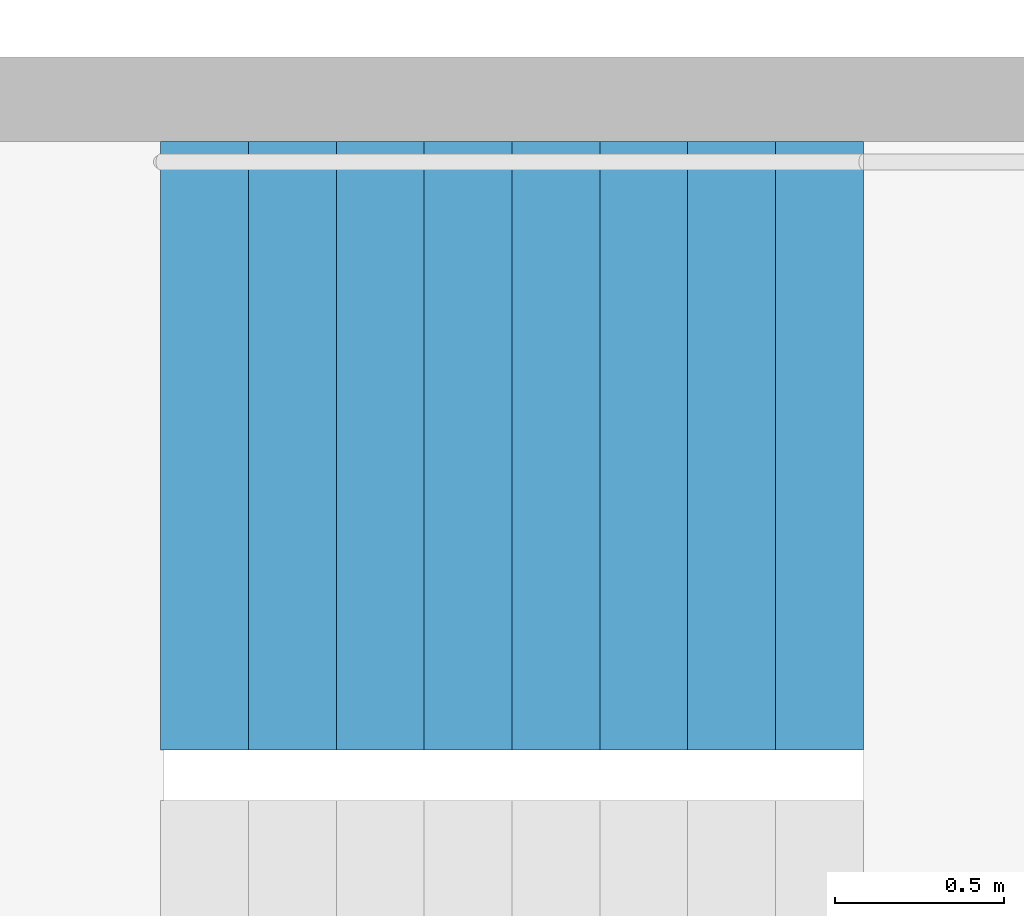
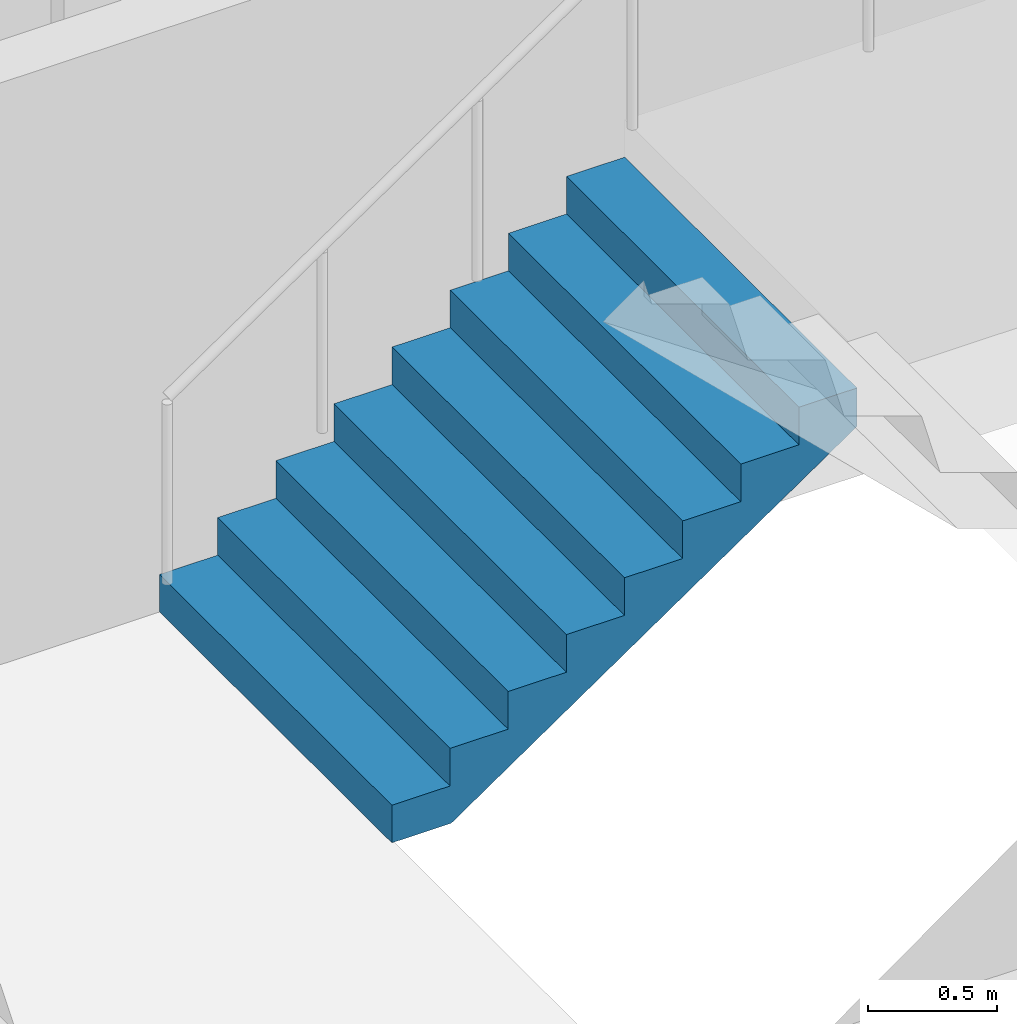
# One storey, part 23 of 26: 1 stair flight, 1 element without a shape of its own.
"""IFC4 building model written with IfcOpenShell, lengths in metres."""

from ifc_helpers import new_model, si_unit, direction, frame, origin, place, context, subcontext, project, spatial, triangles, material, type_object, element, aggregate, save


model = new_model("IFC4")

# Units and contexts
model_context = context("Model", 3, precision=1e-05, world=origin(), true_north=direction((0.0, 1.0)))
body_context = subcontext(model_context, "Body", "Model", "MODEL_VIEW")
ifc_project = project(units=[si_unit("LENGTHUNIT", "METRE"), si_unit("AREAUNIT", "SQUARE_METRE"), si_unit("VOLUMEUNIT", "CUBIC_METRE"), si_unit("PLANEANGLEUNIT", "RADIAN"), si_unit("MASSUNIT", "GRAM", prefix="KILO")], contexts=[model_context])

# Site, building, storey
site_placement = place(None, origin())
site = spatial("IfcSite", under=ifc_project, at=site_placement, CompositionType="ELEMENT")
building_placement = place(site_placement, origin())
building = spatial("IfcBuilding", under=site, at=building_placement, Name="Hakoniwa Tower and Hamabe Station Hall", CompositionType="ELEMENT")
storey_placement = place(building_placement, frame((0.0, 0.0, 159.800048828125)))
storey = spatial("IfcBuildingStorey", under=building, at=storey_placement, Name="L45", CompositionType="ELEMENT", Elevation=159.800048828125)

# Stair, stair flight
ifc_material_1 = material(Name="Concrete C40", Category="concrete")
stair_type = type_object("IfcStairType", Name="ESCAPE STAIR 1800", PredefinedType="HALF_TURN_STAIR", material=ifc_material_1)
stair_placement = place(storey_placement, origin())
stair = element("IfcStair", 1, at=stair_placement, inside=storey, type_object=stair_type, Name="Escape stair ST-4 L45", PredefinedType="HALF_TURN_STAIR")
ifc_material_2 = material(Name="Concrete C40", Category="concrete")
stair_flight_type = type_object("IfcStairFlightType", Name="STAIR FLIGHT 1800", PredefinedType="STRAIGHT", material=ifc_material_2)
stair_flight_placement = place(storey_placement, frame((23.39990234375, -4.64990234375, 0.0), z_axis=(0.0, 0.0, 1.0), x_axis=(1.0, 0.0, 0.0)))
stair_flight = element("IfcStairFlight", 2, at=stair_flight_placement, type_object=stair_flight_type, Name="ST-4 flight 1", NumberOfRisers=9, NumberOfTreads=8, PredefinedType="STRAIGHT", RiserHeight=0.177777778, TreadLength=0.26, context=body_context, shape_type="Tessellation", body=[
    triangles([(0.0, 0.89990234375, 0.0), (0.260009765625, 0.89990234375, 0.0), (0.265625, 0.89990234375, 0.0), (0.52001953125, 0.89990234375, 0.174072265625), (0.780029296875, 0.89990234375, 0.351806640625), (1.0400390625, 0.89990234375, 0.529541015625), (1.300048828125, 0.89990234375, 0.707275390625), (1.56005859375, 0.89990234375, 0.885009765625), (1.820068359375, 0.89990234375, 1.062744140625), (2.080078125, 0.89990234375, 1.24072265625), (2.080078125, 0.89990234375, 1.422119140625), (1.820068359375, 0.89990234375, 1.422119140625), (1.820068359375, 0.89990234375, 1.244384765625), (1.56005859375, 0.89990234375, 1.244384765625), (1.56005859375, 0.89990234375, 1.066650390625), (1.300048828125, 0.89990234375, 1.066650390625), (1.300048828125, 0.89990234375, 0.888916015625), (1.0400390625, 0.89990234375, 0.888916015625), (1.0400390625, 0.89990234375, 0.711181640625), (0.780029296875, 0.89990234375, 0.711181640625), (0.780029296875, 0.89990234375, 0.533447265625), (0.52001953125, 0.89990234375, 0.533447265625), (0.52001953125, 0.89990234375, 0.35546875), (0.265625, 0.89990234375, 0.35546875), (0.260009765625, 0.89990234375, 0.35546875), (0.260009765625, 0.89990234375, 0.177734375), (0.0, 0.89990234375, 0.177734375), (0.0, 0.06005859375, 0.0), (0.260009765625, 0.06005859375, 0.0), (0.265625, 0.06005859375, 0.0), (0.52001953125, 0.06005859375, 0.174072265625), (0.780029296875, 0.06005859375, 0.351806640625), (1.0400390625, 0.06005859375, 0.529541015625), (1.300048828125, 0.06005859375, 0.707275390625), (1.56005859375, 0.06005859375, 0.885009765625), (1.820068359375, 0.06005859375, 1.062744140625), (2.080078125, 0.06005859375, 1.24072265625), (2.080078125, 0.06005859375, 1.422119140625), (1.820068359375, 0.06005859375, 1.422119140625), (1.820068359375, 0.06005859375, 1.244384765625), (1.56005859375, 0.06005859375, 1.244384765625), (1.56005859375, 0.06005859375, 1.066650390625), (1.300048828125, 0.06005859375, 1.066650390625), (1.300048828125, 0.06005859375, 0.888916015625), (1.0400390625, 0.06005859375, 0.888916015625), (1.0400390625, 0.06005859375, 0.711181640625), (0.780029296875, 0.06005859375, 0.711181640625), (0.780029296875, 0.06005859375, 0.533447265625), (0.52001953125, 0.06005859375, 0.533447265625), (0.52001953125, 0.06005859375, 0.35546875), (0.265625, 0.06005859375, 0.35546875), (0.260009765625, 0.06005859375, 0.35546875), (0.260009765625, 0.06005859375, 0.177734375), (0.0, 0.06005859375, 0.177734375), (0.0, 0.04296875, 0.0), (0.260009765625, 0.04296875, 0.0), (0.265625, 0.04296875, 0.0), (0.52001953125, 0.04296875, 0.174072265625), (0.780029296875, 0.04296875, 0.351806640625), (1.0400390625, 0.04296875, 0.529541015625), (1.300048828125, 0.04296875, 0.707275390625), (1.56005859375, 0.04296875, 0.885009765625), (1.820068359375, 0.04296875, 1.062744140625), (2.080078125, 0.04296875, 1.24072265625), (2.080078125, 0.04296875, 1.422119140625), (1.820068359375, 0.04296875, 1.422119140625), (1.820068359375, 0.04296875, 1.244384765625), (1.56005859375, 0.04296875, 1.244384765625), (1.56005859375, 0.04296875, 1.066650390625), (1.300048828125, 0.04296875, 1.066650390625), (1.300048828125, 0.04296875, 0.888916015625), (1.0400390625, 0.04296875, 0.888916015625), (1.0400390625, 0.04296875, 0.711181640625), (0.780029296875, 0.04296875, 0.711181640625), (0.780029296875, 0.04296875, 0.533447265625), (0.52001953125, 0.04296875, 0.533447265625), (0.52001953125, 0.04296875, 0.35546875), (0.265625, 0.04296875, 0.35546875), (0.260009765625, 0.04296875, 0.35546875), (0.260009765625, 0.04296875, 0.177734375), (0.0, 0.04296875, 0.177734375), (0.0, 0.025634765625, 0.0), (0.260009765625, 0.025634765625, 0.0), (0.265625, 0.025634765625, 0.0), (0.52001953125, 0.025634765625, 0.174072265625), (0.780029296875, 0.025634765625, 0.351806640625), (1.0400390625, 0.025634765625, 0.529541015625), (1.300048828125, 0.025634765625, 0.707275390625), (1.56005859375, 0.025634765625, 0.885009765625), (1.820068359375, 0.025634765625, 1.062744140625), (2.080078125, 0.025634765625, 1.24072265625), (2.080078125, 0.025634765625, 1.422119140625), (1.820068359375, 0.025634765625, 1.422119140625), (1.820068359375, 0.025634765625, 1.244384765625), (1.56005859375, 0.025634765625, 1.244384765625), (1.56005859375, 0.025634765625, 1.066650390625), (1.300048828125, 0.025634765625, 1.066650390625), (1.300048828125, 0.025634765625, 0.888916015625), (1.0400390625, 0.025634765625, 0.888916015625), (1.0400390625, 0.025634765625, 0.711181640625), (0.780029296875, 0.025634765625, 0.711181640625), (0.780029296875, 0.025634765625, 0.533447265625), (0.52001953125, 0.025634765625, 0.533447265625), (0.52001953125, 0.025634765625, 0.35546875), (0.265625, 0.025634765625, 0.35546875), (0.260009765625, 0.025634765625, 0.35546875), (0.260009765625, 0.025634765625, 0.177734375), (0.0, 0.025634765625, 0.177734375), (0.0, 0.008544921875, 0.0), (0.260009765625, 0.008544921875, 0.0), (0.265625, 0.008544921875, 0.0), (0.52001953125, 0.008544921875, 0.174072265625), (0.780029296875, 0.008544921875, 0.351806640625), (1.0400390625, 0.008544921875, 0.529541015625), (1.300048828125, 0.008544921875, 0.707275390625), (1.56005859375, 0.008544921875, 0.885009765625), (1.820068359375, 0.008544921875, 1.062744140625), (2.080078125, 0.008544921875, 1.24072265625), (2.080078125, 0.008544921875, 1.422119140625), (1.820068359375, 0.008544921875, 1.422119140625), (1.820068359375, 0.008544921875, 1.244384765625), (1.56005859375, 0.008544921875, 1.244384765625), (1.56005859375, 0.008544921875, 1.066650390625), (1.300048828125, 0.008544921875, 1.066650390625), (1.300048828125, 0.008544921875, 0.888916015625), (1.0400390625, 0.008544921875, 0.888916015625), (1.0400390625, 0.008544921875, 0.711181640625), (0.780029296875, 0.008544921875, 0.711181640625), (0.780029296875, 0.008544921875, 0.533447265625), (0.52001953125, 0.008544921875, 0.533447265625), (0.52001953125, 0.008544921875, 0.35546875), (0.265625, 0.008544921875, 0.35546875), (0.260009765625, 0.008544921875, 0.35546875), (0.260009765625, 0.008544921875, 0.177734375), (0.0, 0.008544921875, 0.177734375), (0.0, -0.008544921875, 0.0), (0.260009765625, -0.008544921875, 0.0), (0.265625, -0.008544921875, 0.0), (0.52001953125, -0.008544921875, 0.174072265625), (0.780029296875, -0.008544921875, 0.351806640625), (1.0400390625, -0.008544921875, 0.529541015625), (1.300048828125, -0.008544921875, 0.707275390625), (1.56005859375, -0.008544921875, 0.885009765625), (1.820068359375, -0.008544921875, 1.062744140625), (2.080078125, -0.008544921875, 1.24072265625), (2.080078125, -0.008544921875, 1.422119140625), (1.820068359375, -0.008544921875, 1.422119140625), (1.820068359375, -0.008544921875, 1.244384765625), (1.56005859375, -0.008544921875, 1.244384765625), (1.56005859375, -0.008544921875, 1.066650390625), (1.300048828125, -0.008544921875, 1.066650390625), (1.300048828125, -0.008544921875, 0.888916015625), (1.0400390625, -0.008544921875, 0.888916015625), (1.0400390625, -0.008544921875, 0.711181640625), (0.780029296875, -0.008544921875, 0.711181640625), (0.780029296875, -0.008544921875, 0.533447265625), (0.52001953125, -0.008544921875, 0.533447265625), (0.52001953125, -0.008544921875, 0.35546875), (0.265625, -0.008544921875, 0.35546875), (0.260009765625, -0.008544921875, 0.35546875), (0.260009765625, -0.008544921875, 0.177734375), (0.0, -0.008544921875, 0.177734375), (0.0, -0.025634765625, 0.0), (0.260009765625, -0.025634765625, 0.0), (0.265625, -0.025634765625, 0.0), (0.52001953125, -0.025634765625, 0.174072265625), (0.780029296875, -0.025634765625, 0.351806640625), (1.0400390625, -0.025634765625, 0.529541015625), (1.300048828125, -0.025634765625, 0.707275390625), (1.56005859375, -0.025634765625, 0.885009765625), (1.820068359375, -0.025634765625, 1.062744140625), (2.080078125, -0.025634765625, 1.24072265625), (2.080078125, -0.025634765625, 1.422119140625), (1.820068359375, -0.025634765625, 1.422119140625), (1.820068359375, -0.025634765625, 1.244384765625), (1.56005859375, -0.025634765625, 1.244384765625), (1.56005859375, -0.025634765625, 1.066650390625), (1.300048828125, -0.025634765625, 1.066650390625), (1.300048828125, -0.025634765625, 0.888916015625), (1.0400390625, -0.025634765625, 0.888916015625), (1.0400390625, -0.025634765625, 0.711181640625), (0.780029296875, -0.025634765625, 0.711181640625), (0.780029296875, -0.025634765625, 0.533447265625), (0.52001953125, -0.025634765625, 0.533447265625), (0.52001953125, -0.025634765625, 0.35546875), (0.265625, -0.025634765625, 0.35546875), (0.260009765625, -0.025634765625, 0.35546875), (0.260009765625, -0.025634765625, 0.177734375), (0.0, -0.025634765625, 0.177734375), (0.0, -0.04296875, 0.0), (0.260009765625, -0.04296875, 0.0), (0.265625, -0.04296875, 0.0), (0.52001953125, -0.04296875, 0.174072265625), (0.780029296875, -0.04296875, 0.351806640625), (1.0400390625, -0.04296875, 0.529541015625), (1.300048828125, -0.04296875, 0.707275390625), (1.56005859375, -0.04296875, 0.885009765625), (1.820068359375, -0.04296875, 1.062744140625), (2.080078125, -0.04296875, 1.24072265625), (2.080078125, -0.04296875, 1.422119140625), (1.820068359375, -0.04296875, 1.422119140625), (1.820068359375, -0.04296875, 1.244384765625), (1.56005859375, -0.04296875, 1.244384765625), (1.56005859375, -0.04296875, 1.066650390625), (1.300048828125, -0.04296875, 1.066650390625), (1.300048828125, -0.04296875, 0.888916015625), (1.0400390625, -0.04296875, 0.888916015625), (1.0400390625, -0.04296875, 0.711181640625), (0.780029296875, -0.04296875, 0.711181640625), (0.780029296875, -0.04296875, 0.533447265625), (0.52001953125, -0.04296875, 0.533447265625), (0.52001953125, -0.04296875, 0.35546875), (0.265625, -0.04296875, 0.35546875), (0.260009765625, -0.04296875, 0.35546875), (0.260009765625, -0.04296875, 0.177734375), (0.0, -0.04296875, 0.177734375), (0.0, -0.06005859375, 0.0), (0.260009765625, -0.06005859375, 0.0), (0.265625, -0.06005859375, 0.0), (0.52001953125, -0.06005859375, 0.174072265625), (0.780029296875, -0.06005859375, 0.351806640625), (1.0400390625, -0.06005859375, 0.529541015625), (1.300048828125, -0.06005859375, 0.707275390625), (1.56005859375, -0.06005859375, 0.885009765625), (1.820068359375, -0.06005859375, 1.062744140625), (2.080078125, -0.06005859375, 1.24072265625), (2.080078125, -0.06005859375, 1.422119140625), (1.820068359375, -0.06005859375, 1.422119140625), (1.820068359375, -0.06005859375, 1.244384765625), (1.56005859375, -0.06005859375, 1.244384765625), (1.56005859375, -0.06005859375, 1.066650390625), (1.300048828125, -0.06005859375, 1.066650390625), (1.300048828125, -0.06005859375, 0.888916015625), (1.0400390625, -0.06005859375, 0.888916015625), (1.0400390625, -0.06005859375, 0.711181640625), (0.780029296875, -0.06005859375, 0.711181640625), (0.780029296875, -0.06005859375, 0.533447265625), (0.52001953125, -0.06005859375, 0.533447265625), (0.52001953125, -0.06005859375, 0.35546875), (0.265625, -0.06005859375, 0.35546875), (0.260009765625, -0.06005859375, 0.35546875), (0.260009765625, -0.06005859375, 0.177734375), (0.0, -0.06005859375, 0.177734375), (0.0, -0.89990234375, 0.0), (0.260009765625, -0.89990234375, 0.0), (0.265625, -0.89990234375, 0.0), (0.52001953125, -0.89990234375, 0.174072265625), (0.780029296875, -0.89990234375, 0.351806640625), (1.0400390625, -0.89990234375, 0.529541015625), (1.300048828125, -0.89990234375, 0.707275390625), (1.56005859375, -0.89990234375, 0.885009765625), (1.820068359375, -0.89990234375, 1.062744140625), (2.080078125, -0.89990234375, 1.24072265625), (2.080078125, -0.89990234375, 1.422119140625), (1.820068359375, -0.89990234375, 1.422119140625), (1.820068359375, -0.89990234375, 1.244384765625), (1.56005859375, -0.89990234375, 1.244384765625), (1.56005859375, -0.89990234375, 1.066650390625), (1.300048828125, -0.89990234375, 1.066650390625), (1.300048828125, -0.89990234375, 0.888916015625), (1.0400390625, -0.89990234375, 0.888916015625), (1.0400390625, -0.89990234375, 0.711181640625), (0.780029296875, -0.89990234375, 0.711181640625), (0.780029296875, -0.89990234375, 0.533447265625), (0.52001953125, -0.89990234375, 0.533447265625), (0.52001953125, -0.89990234375, 0.35546875), (0.265625, -0.89990234375, 0.35546875), (0.260009765625, -0.89990234375, 0.35546875), (0.260009765625, -0.89990234375, 0.177734375), (0.0, -0.89990234375, 0.177734375)], [[2, 27, 26], [245, 269, 270], [2, 1, 27], [245, 270, 244], [3, 25, 24], [246, 267, 268], [3, 26, 25], [246, 268, 269], [3, 2, 26], [246, 269, 245], [4, 24, 23], [247, 266, 267], [4, 3, 24], [247, 267, 246], [5, 22, 21], [248, 264, 265], [5, 23, 22], [248, 265, 266], [5, 4, 23], [248, 266, 247], [6, 20, 19], [249, 262, 263], [6, 21, 20], [249, 263, 264], [6, 5, 21], [249, 264, 248], [7, 18, 17], [250, 260, 261], [7, 19, 18], [250, 261, 262], [7, 6, 19], [250, 262, 249], [8, 16, 15], [251, 258, 259], [8, 17, 16], [251, 259, 260], [8, 7, 17], [251, 260, 250], [9, 14, 13], [252, 256, 257], [9, 15, 14], [252, 257, 258], [9, 8, 15], [252, 258, 251], [10, 12, 11], [253, 254, 255], [10, 13, 12], [253, 255, 256], [10, 9, 13], [253, 256, 252], [1, 2, 29], [1, 29, 28], [28, 29, 56], [28, 56, 55], [55, 56, 83], [55, 83, 82], [82, 83, 110], [82, 110, 109], [109, 110, 137], [109, 137, 136], [136, 137, 164], [136, 164, 163], [163, 164, 191], [163, 191, 190], [190, 191, 218], [190, 218, 217], [217, 218, 245], [217, 245, 244], [2, 3, 30], [2, 30, 29], [29, 30, 57], [29, 57, 56], [56, 57, 84], [56, 84, 83], [83, 84, 111], [83, 111, 110], [110, 111, 138], [110, 138, 137], [137, 138, 165], [137, 165, 164], [164, 165, 192], [164, 192, 191], [191, 192, 219], [191, 219, 218], [218, 219, 246], [218, 246, 245], [3, 4, 31], [3, 31, 30], [30, 31, 58], [30, 58, 57], [57, 58, 85], [57, 85, 84], [84, 85, 112], [84, 112, 111], [111, 112, 139], [111, 139, 138], [138, 139, 166], [138, 166, 165], [165, 166, 193], [165, 193, 192], [192, 193, 220], [192, 220, 219], [219, 220, 247], [219, 247, 246], [4, 5, 32], [4, 32, 31], [31, 32, 59], [31, 59, 58], [58, 59, 86], [58, 86, 85], [85, 86, 113], [85, 113, 112], [112, 113, 140], [112, 140, 139], [139, 140, 167], [139, 167, 166], [166, 167, 194], [166, 194, 193], [193, 194, 221], [193, 221, 220], [220, 221, 248], [220, 248, 247], [5, 6, 33], [5, 33, 32], [32, 33, 60], [32, 60, 59], [59, 60, 87], [59, 87, 86], [86, 87, 114], [86, 114, 113], [113, 114, 141], [113, 141, 140], [140, 141, 168], [140, 168, 167], [167, 168, 195], [167, 195, 194], [194, 195, 222], [194, 222, 221], [221, 222, 249], [221, 249, 248], [6, 7, 34], [6, 34, 33], [33, 34, 61], [33, 61, 60], [60, 61, 88], [60, 88, 87], [87, 88, 115], [87, 115, 114], [114, 115, 142], [114, 142, 141], [141, 142, 169], [141, 169, 168], [168, 169, 196], [168, 196, 195], [195, 196, 223], [195, 223, 222], [222, 223, 250], [222, 250, 249], [7, 8, 35], [7, 35, 34], [34, 35, 62], [34, 62, 61], [61, 62, 89], [61, 89, 88], [88, 89, 116], [88, 116, 115], [115, 116, 143], [115, 143, 142], [142, 143, 170], [142, 170, 169], [169, 170, 197], [169, 197, 196], [196, 197, 224], [196, 224, 223], [223, 224, 251], [223, 251, 250], [8, 9, 36], [8, 36, 35], [35, 36, 63], [35, 63, 62], [62, 63, 90], [62, 90, 89], [89, 90, 117], [89, 117, 116], [116, 117, 144], [116, 144, 143], [143, 144, 171], [143, 171, 170], [170, 171, 198], [170, 198, 197], [197, 198, 225], [197, 225, 224], [224, 225, 252], [224, 252, 251], [9, 10, 37], [9, 37, 36], [36, 37, 64], [36, 64, 63], [63, 64, 91], [63, 91, 90], [90, 91, 118], [90, 118, 117], [117, 118, 145], [117, 145, 144], [144, 145, 172], [144, 172, 171], [171, 172, 199], [171, 199, 198], [198, 199, 226], [198, 226, 225], [225, 226, 253], [225, 253, 252], [10, 11, 38], [10, 38, 37], [37, 38, 65], [37, 65, 64], [64, 65, 92], [64, 92, 91], [91, 92, 119], [91, 119, 118], [118, 119, 146], [118, 146, 145], [145, 146, 173], [145, 173, 172], [172, 173, 200], [172, 200, 199], [199, 200, 227], [199, 227, 226], [226, 227, 254], [226, 254, 253], [11, 12, 39], [11, 39, 38], [38, 39, 66], [38, 66, 65], [65, 66, 93], [65, 93, 92], [92, 93, 120], [92, 120, 119], [119, 120, 147], [119, 147, 146], [146, 147, 174], [146, 174, 173], [173, 174, 201], [173, 201, 200], [200, 201, 228], [200, 228, 227], [227, 228, 255], [227, 255, 254], [12, 13, 40], [12, 40, 39], [39, 40, 67], [39, 67, 66], [66, 67, 94], [66, 94, 93], [93, 94, 121], [93, 121, 120], [120, 121, 148], [120, 148, 147], [147, 148, 175], [147, 175, 174], [174, 175, 202], [174, 202, 201], [201, 202, 229], [201, 229, 228], [228, 229, 256], [228, 256, 255], [13, 14, 41], [13, 41, 40], [40, 41, 68], [40, 68, 67], [67, 68, 95], [67, 95, 94], [94, 95, 122], [94, 122, 121], [121, 122, 149], [121, 149, 148], [148, 149, 176], [148, 176, 175], [175, 176, 203], [175, 203, 202], [202, 203, 230], [202, 230, 229], [229, 230, 257], [229, 257, 256], [14, 15, 42], [14, 42, 41], [41, 42, 69], [41, 69, 68], [68, 69, 96], [68, 96, 95], [95, 96, 123], [95, 123, 122], [122, 123, 150], [122, 150, 149], [149, 150, 177], [149, 177, 176], [176, 177, 204], [176, 204, 203], [203, 204, 231], [203, 231, 230], [230, 231, 258], [230, 258, 257], [15, 16, 43], [15, 43, 42], [42, 43, 70], [42, 70, 69], [69, 70, 97], [69, 97, 96], [96, 97, 124], [96, 124, 123], [123, 124, 151], [123, 151, 150], [150, 151, 178], [150, 178, 177], [177, 178, 205], [177, 205, 204], [204, 205, 232], [204, 232, 231], [231, 232, 259], [231, 259, 258], [16, 17, 44], [16, 44, 43], [43, 44, 71], [43, 71, 70], [70, 71, 98], [70, 98, 97], [97, 98, 125], [97, 125, 124], [124, 125, 152], [124, 152, 151], [151, 152, 179], [151, 179, 178], [178, 179, 206], [178, 206, 205], [205, 206, 233], [205, 233, 232], [232, 233, 260], [232, 260, 259], [17, 18, 45], [17, 45, 44], [44, 45, 72], [44, 72, 71], [71, 72, 99], [71, 99, 98], [98, 99, 126], [98, 126, 125], [125, 126, 153], [125, 153, 152], [152, 153, 180], [152, 180, 179], [179, 180, 207], [179, 207, 206], [206, 207, 234], [206, 234, 233], [233, 234, 261], [233, 261, 260], [18, 19, 46], [18, 46, 45], [45, 46, 73], [45, 73, 72], [72, 73, 100], [72, 100, 99], [99, 100, 127], [99, 127, 126], [126, 127, 154], [126, 154, 153], [153, 154, 181], [153, 181, 180], [180, 181, 208], [180, 208, 207], [207, 208, 235], [207, 235, 234], [234, 235, 262], [234, 262, 261], [19, 20, 47], [19, 47, 46], [46, 47, 74], [46, 74, 73], [73, 74, 101], [73, 101, 100], [100, 101, 128], [100, 128, 127], [127, 128, 155], [127, 155, 154], [154, 155, 182], [154, 182, 181], [181, 182, 209], [181, 209, 208], [208, 209, 236], [208, 236, 235], [235, 236, 263], [235, 263, 262], [20, 21, 48], [20, 48, 47], [47, 48, 75], [47, 75, 74], [74, 75, 102], [74, 102, 101], [101, 102, 129], [101, 129, 128], [128, 129, 156], [128, 156, 155], [155, 156, 183], [155, 183, 182], [182, 183, 210], [182, 210, 209], [209, 210, 237], [209, 237, 236], [236, 237, 264], [236, 264, 263], [21, 22, 49], [21, 49, 48], [48, 49, 76], [48, 76, 75], [75, 76, 103], [75, 103, 102], [102, 103, 130], [102, 130, 129], [129, 130, 157], [129, 157, 156], [156, 157, 184], [156, 184, 183], [183, 184, 211], [183, 211, 210], [210, 211, 238], [210, 238, 237], [237, 238, 265], [237, 265, 264], [22, 23, 50], [22, 50, 49], [49, 50, 77], [49, 77, 76], [76, 77, 104], [76, 104, 103], [103, 104, 131], [103, 131, 130], [130, 131, 158], [130, 158, 157], [157, 158, 185], [157, 185, 184], [184, 185, 212], [184, 212, 211], [211, 212, 239], [211, 239, 238], [238, 239, 266], [238, 266, 265], [23, 24, 51], [23, 51, 50], [50, 51, 78], [50, 78, 77], [77, 78, 105], [77, 105, 104], [104, 105, 132], [104, 132, 131], [131, 132, 159], [131, 159, 158], [158, 159, 186], [158, 186, 185], [185, 186, 213], [185, 213, 212], [212, 213, 240], [212, 240, 239], [239, 240, 267], [239, 267, 266], [24, 25, 52], [24, 52, 51], [51, 52, 79], [51, 79, 78], [78, 79, 106], [78, 106, 105], [105, 106, 133], [105, 133, 132], [132, 133, 160], [132, 160, 159], [159, 160, 187], [159, 187, 186], [186, 187, 214], [186, 214, 213], [213, 214, 241], [213, 241, 240], [240, 241, 268], [240, 268, 267], [25, 26, 53], [25, 53, 52], [52, 53, 80], [52, 80, 79], [79, 80, 107], [79, 107, 106], [106, 107, 134], [106, 134, 133], [133, 134, 161], [133, 161, 160], [160, 161, 188], [160, 188, 187], [187, 188, 215], [187, 215, 214], [214, 215, 242], [214, 242, 241], [241, 242, 269], [241, 269, 268], [26, 27, 54], [26, 54, 53], [53, 54, 81], [53, 81, 80], [80, 81, 108], [80, 108, 107], [107, 108, 135], [107, 135, 134], [134, 135, 162], [134, 162, 161], [161, 162, 189], [161, 189, 188], [188, 189, 216], [188, 216, 215], [215, 216, 243], [215, 243, 242], [242, 243, 270], [242, 270, 269], [27, 1, 28], [27, 28, 54], [54, 28, 55], [54, 55, 81], [81, 55, 82], [81, 82, 108], [108, 82, 109], [108, 109, 135], [135, 109, 136], [135, 136, 162], [162, 136, 163], [162, 163, 189], [189, 163, 190], [189, 190, 216], [216, 190, 217], [216, 217, 243], [243, 217, 244], [243, 244, 270]], closed=True),
])
aggregate(stair, [stair_flight])

save(model, "model.ifc")
